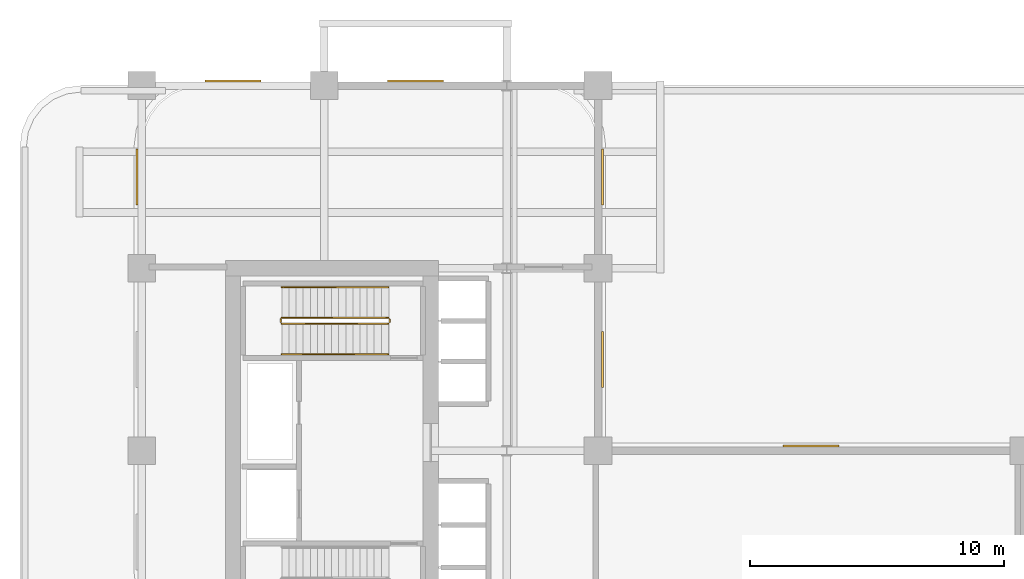
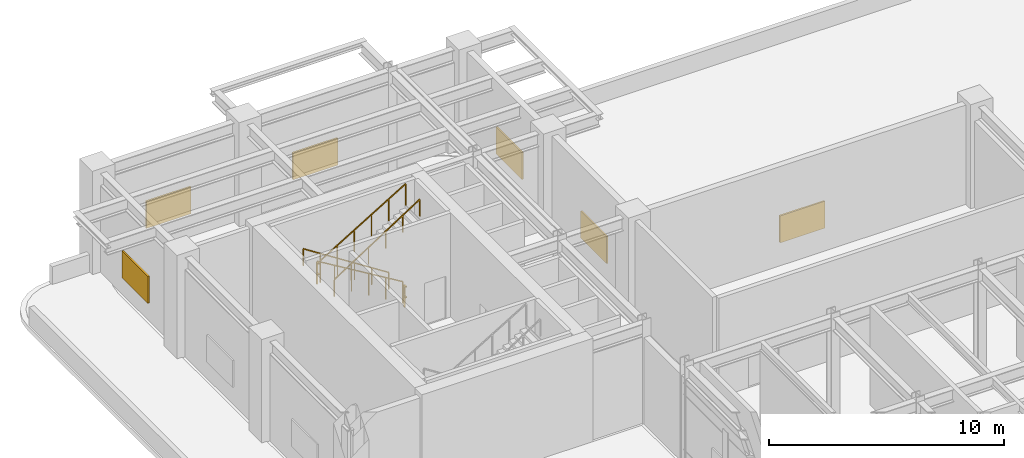
# One storey, part 14 of 14: 6 railings, 6 shading devices.
"""IFC4 building model written with IfcOpenShell, lengths in metres."""

from ifc_helpers import new_model, si_unit, derived_unit, direction, frame, origin, origin_2d, place, context, subcontext, project, spatial, rectangle, extrude, source, transform, mapped, material, layer, layer_set, type_object, type_shapes, element, save


model = new_model("IFC4")

# Units and contexts
model_context = context("Model", 3, precision=1e-05, world=origin(), true_north=direction((0.0, 1.0)))
body_context = subcontext(model_context, "Body", "Model", "MODEL_VIEW")
ifc_project = project(units=[si_unit("LENGTHUNIT", "METRE"), si_unit("AREAUNIT", "SQUARE_METRE"), si_unit("VOLUMEUNIT", "CUBIC_METRE"), si_unit("PLANEANGLEUNIT", "RADIAN"), si_unit("MASSUNIT", "GRAM", prefix="KILO"), si_unit("THERMODYNAMICTEMPERATUREUNIT", "KELVIN"), si_unit("POWERUNIT", "WATT"), derived_unit("THERMALTRANSMITTANCEUNIT", [(si_unit("POWERUNIT", "WATT"), 1), (si_unit("AREAUNIT", "SQUARE_METRE"), -1), (si_unit("THERMODYNAMICTEMPERATUREUNIT", "KELVIN"), -1)])], contexts=[model_context])

# Site, building, storey
site_placement = place(None, origin())
site = spatial("IfcSite", under=ifc_project, at=site_placement, CompositionType="ELEMENT")
building_placement = place(site_placement, origin())
building = spatial("IfcBuilding", under=site, at=building_placement, Name="Zahravan Archway Hotel and Residences", CompositionType="ELEMENT")
storey_placement = place(building_placement, frame((0.0, 0.0, 27.0)))
storey = spatial("IfcBuildingStorey", under=building, at=storey_placement, Name="L05", CompositionType="ELEMENT", Elevation=27.0)

# Railings
ifc_material_1 = material(Name="Painted Tubular Steel", Category="steel")
railing_type_1 = type_object("IfcRailingType", Name="RL-STG-1150", PredefinedType="GUARDRAIL", material=ifc_material_1)
railing_1_placement = place(storey_placement, frame((9.72998046875, 37.64990234375, 0.168701171875)))
element("IfcRailing", 1, at=railing_1_placement, inside=storey, type_object=railing_type_1, Name="L05 ST-B2 stair guard 1", PredefinedType="GUARDRAIL", context=body_context, shape_type="SweptSolid", body=[
    extrude(rectangle(XDim=0.048095703125, YDim=0.048095703125, at=origin_2d()), frame((0.0, 0.0, 1.1259765625), z_axis=(-0.856476492594, 0.0, 0.516186030065), x_axis=(0.0, -1.0, 0.0)), (0.0, 0.0, 1.0), 4.90380859375),
    extrude(rectangle(XDim=0.0419921875, YDim=0.0419921875, at=origin_2d()), origin(), (0.0, 0.0, 1.0), 1.101806640625),
    extrude(rectangle(XDim=0.0419921875, YDim=0.0419921875, at=origin_2d()), frame((-0.840087890625, 0.0, 0.50634765625)), (0.0, 0.0, 1.0), 1.101806640625),
    extrude(rectangle(XDim=0.0419921875, YDim=0.0419921875, at=origin_2d()), frame((-1.679931640625, 0.0, 1.012451171875)), (0.0, 0.0, 1.0), 1.101806640625),
    extrude(rectangle(XDim=0.0419921875, YDim=0.0419921875, at=origin_2d()), frame((-2.52001953125, 0.0, 1.518798828125)), (0.0, 0.0, 1.0), 1.101806640625),
    extrude(rectangle(XDim=0.0419921875, YDim=0.0419921875, at=origin_2d()), frame((-3.35986328125, 0.0, 2.02490234375)), (0.0, 0.0, 1.0), 1.101806640625),
    extrude(rectangle(XDim=0.0419921875, YDim=0.0419921875, at=origin_2d()), frame((-4.199951171875, 0.0, 2.53125)), (0.0, 0.0, 1.0), 1.101806640625),
])
railing_2_placement = place(storey_placement, frame((5.47998046875, 37.60009765625, 2.699951171875)))
element("IfcRailing", 2, at=railing_2_placement, inside=storey, type_object=railing_type_1, Name="L05 ST-B2 stair guard 2", PredefinedType="GUARDRAIL", context=body_context, shape_type="SweptSolid", body=[
    extrude(rectangle(XDim=0.048095703125, YDim=0.048095703125, at=origin_2d()), frame((0.0, 0.0, 1.1259765625), z_axis=(0.0, -1.0, 0.0), x_axis=(1.0, 0.0, 0.0)), (0.0, 0.0, 1.0), 0.14013671875),
    extrude(rectangle(XDim=0.048095703125, YDim=0.048095703125, at=origin_2d()), frame((0.0, 0.0, 0.574951171875), z_axis=(0.0, -1.0, 0.0), x_axis=(1.0, 0.0, 0.0)), (0.0, 0.0, 1.0), 0.14013671875),
    extrude(rectangle(XDim=0.0419921875, YDim=0.0419921875, at=origin_2d()), origin(), (0.0, 0.0, 1.0), 1.101806640625),
])
railing_3_placement = place(storey_placement, frame((5.530029296875, 37.409912109375, 2.86865234375)))
element("IfcRailing", 3, at=railing_3_placement, inside=storey, type_object=railing_type_1, Name="L05 ST-B2 stair guard 3", PredefinedType="GUARDRAIL", context=body_context, shape_type="SweptSolid", body=[
    extrude(rectangle(XDim=0.048095703125, YDim=0.048095703125, at=origin_2d()), frame((0.0, 0.0, 1.1259765625), z_axis=(0.856476492594, 0.0, 0.516186030065), x_axis=(0.0, 1.0, 0.0)), (0.0, 0.0, 1.0), 4.90380859375),
    extrude(rectangle(XDim=0.0419921875, YDim=0.0419921875, at=origin_2d()), origin(), (0.0, 0.0, 1.0), 1.101806640625),
    extrude(rectangle(XDim=0.0419921875, YDim=0.0419921875, at=origin_2d()), frame((0.840087890625, 0.0, 0.50634765625)), (0.0, 0.0, 1.0), 1.101806640625),
    extrude(rectangle(XDim=0.0419921875, YDim=0.0419921875, at=origin_2d()), frame((1.679931640625, 0.0, 1.012451171875)), (0.0, 0.0, 1.0), 1.101806640625),
    extrude(rectangle(XDim=0.0419921875, YDim=0.0419921875, at=origin_2d()), frame((2.52001953125, 0.0, 1.518798828125)), (0.0, 0.0, 1.0), 1.101806640625),
    extrude(rectangle(XDim=0.0419921875, YDim=0.0419921875, at=origin_2d()), frame((3.35986328125, 0.0, 2.02490234375)), (0.0, 0.0, 1.0), 1.101806640625),
    extrude(rectangle(XDim=0.0419921875, YDim=0.0419921875, at=origin_2d()), frame((4.199951171875, 0.0, 2.53125)), (0.0, 0.0, 1.0), 1.101806640625),
])
railing_4_placement = place(storey_placement, frame((9.780029296875, 37.60009765625, 0.0)))
element("IfcRailing", 4, at=railing_4_placement, inside=storey, type_object=railing_type_1, Name="L05 ST-B2 stair guard 4", PredefinedType="GUARDRAIL", context=body_context, shape_type="SweptSolid", body=[
    extrude(rectangle(XDim=0.048095703125, YDim=0.048095703125, at=origin_2d()), frame((0.0, 0.0, 1.1259765625), z_axis=(0.0, -1.0, 0.0), x_axis=(1.0, 0.0, 0.0)), (0.0, 0.0, 1.0), 0.14013671875),
    extrude(rectangle(XDim=0.048095703125, YDim=0.048095703125, at=origin_2d()), frame((0.0, 0.0, 0.574951171875), z_axis=(0.0, -1.0, 0.0), x_axis=(1.0, 0.0, 0.0)), (0.0, 0.0, 1.0), 0.14013671875),
    extrude(rectangle(XDim=0.0419921875, YDim=0.0419921875, at=origin_2d()), origin(), (0.0, 0.0, 1.0), 1.101806640625),
])
ifc_material_2 = material(Name="Brushed Stainless Steel", Category="steel")
railing_type_2 = type_object("IfcRailingType", Name="RL-STH-900", PredefinedType="HANDRAIL", material=ifc_material_2)
railing_5_placement = place(storey_placement, frame((9.72998046875, 38.85009765625, 0.168701171875)))
element("IfcRailing", 5, at=railing_5_placement, inside=storey, type_object=railing_type_2, Name="L05 ST-B2 stair handrail 1", PredefinedType="HANDRAIL", context=body_context, shape_type="SweptSolid", body=[
    extrude(rectangle(XDim=0.048095703125, YDim=0.048095703125, at=origin_2d()), frame((0.0, 0.0, 0.8759765625), z_axis=(-0.841180064094, 0.0, 0.540755119968), x_axis=(0.0, -1.0, 0.0)), (0.0, 0.0, 1.0), 4.992919921875),
    extrude(rectangle(XDim=0.0419921875, YDim=0.0419921875, at=origin_2d()), origin(), (0.0, 0.0, 1.0), 0.851806640625),
    extrude(rectangle(XDim=0.0419921875, YDim=0.0419921875, at=origin_2d()), frame((-0.840087890625, 0.0, 0.5400390625)), (0.0, 0.0, 1.0), 0.851806640625),
    extrude(rectangle(XDim=0.0419921875, YDim=0.0419921875, at=origin_2d()), frame((-1.679931640625, 0.0, 1.080078125)), (0.0, 0.0, 1.0), 0.851806640625),
    extrude(rectangle(XDim=0.0419921875, YDim=0.0419921875, at=origin_2d()), frame((-2.52001953125, 0.0, 1.619873046875)), (0.0, 0.0, 1.0), 0.851806640625),
    extrude(rectangle(XDim=0.0419921875, YDim=0.0419921875, at=origin_2d()), frame((-3.35986328125, 0.0, 2.159912109375)), (0.0, 0.0, 1.0), 0.851806640625),
    extrude(rectangle(XDim=0.0419921875, YDim=0.0419921875, at=origin_2d()), frame((-4.199951171875, 0.0, 2.699951171875)), (0.0, 0.0, 1.0), 0.851806640625),
])
railing_6_placement = place(storey_placement, frame((5.530029296875, 36.2099609375, 2.86865234375)))
element("IfcRailing", 6, at=railing_6_placement, inside=storey, type_object=railing_type_2, Name="L05 ST-B2 stair handrail 2", PredefinedType="HANDRAIL", context=body_context, shape_type="SweptSolid", body=[
    extrude(rectangle(XDim=0.048095703125, YDim=0.048095703125, at=origin_2d()), frame((0.0, 0.0, 0.8759765625), z_axis=(0.841157821942, 0.0, 0.54078971753), x_axis=(0.0, 1.0, 0.0)), (0.0, 0.0, 1.0), 4.9931640625),
    extrude(rectangle(XDim=0.0419921875, YDim=0.0419921875, at=origin_2d()), origin(), (0.0, 0.0, 1.0), 0.851806640625),
    extrude(rectangle(XDim=0.0419921875, YDim=0.0419921875, at=origin_2d()), frame((0.840087890625, 0.0, 0.5400390625)), (0.0, 0.0, 1.0), 0.851806640625),
    extrude(rectangle(XDim=0.0419921875, YDim=0.0419921875, at=origin_2d()), frame((1.679931640625, 0.0, 1.080078125)), (0.0, 0.0, 1.0), 0.851806640625),
    extrude(rectangle(XDim=0.0419921875, YDim=0.0419921875, at=origin_2d()), frame((2.52001953125, 0.0, 1.6201171875)), (0.0, 0.0, 1.0), 0.851806640625),
    extrude(rectangle(XDim=0.0419921875, YDim=0.0419921875, at=origin_2d()), frame((3.35986328125, 0.0, 2.16015625)), (0.0, 0.0, 1.0), 0.851806640625),
    extrude(rectangle(XDim=0.0419921875, YDim=0.0419921875, at=origin_2d()), frame((4.199951171875, 0.0, 2.7001953125)), (0.0, 0.0, 1.0), 0.851806640625),
])

# Shading devices
ifc_material_3 = material(Name="Bronze Acoustic Intake Louvre")
ifc_layer = layer(ifc_material_3, 0.080078125, Name="Bronze Acoustic Intake Louvre")
ifc_layer_set = layer_set([ifc_layer], Name="Bronze Acoustic Intake Louvre")
shading_device_type = type_object("IfcShadingDeviceType", Name="SHD-LOUVRE-60", PredefinedType="USERDEFINED", material=ifc_layer_set)
shared_shape = source(origin(), body_context, "Body", "SweptSolid", [
    extrude(rectangle(XDim=2.199951171875, YDim=0.080078125, at=origin_2d()), origin(), (0.0, 0.0, 1.0), 1.39990234375),
])
type_shapes(shading_device_type, [shared_shape])
for number, where, z_axis, x_axis, name in (
    (7, (-0.179931640625, 43.199951171875, 0.949951171875), (0.0, 0.0, 1.0), (0.0, 1.0, 0.0), "L05 Acoustic Plant Intake Louvre 18"),
    (8, (3.60009765625, 46.97998046875, 0.949951171875), (0.0, 0.0, 1.0), (1.0, 0.0, 0.0), "L05 Acoustic Plant Intake Louvre 19"),
    (9, (10.800048828125, 46.97998046875, 0.949951171875), (0.0, 0.0, 1.0), (1.0, 0.0, 0.0), "L05 Acoustic Plant Intake Louvre 20"),
    (10, (18.179931640625, 36.0, 0.949951171875), (0.0, 0.0, 1.0), (0.0, 1.0, 0.0), "L05 Acoustic Plant Intake Louvre 21"),
    (11, (18.179931640625, 43.199951171875, 0.949951171875), (0.0, 0.0, 1.0), (0.0, 1.0, 0.0), "L05 Acoustic Plant Intake Louvre 22"),
    (12, (26.39990234375, 32.580078125, 0.949951171875), (0.0, 0.0, 1.0), (1.0, 0.0, 0.0), "L05 Acoustic Plant Intake Louvre 23"),
):
    element("IfcShadingDevice", number, at=place(storey_placement, frame(where, z_axis=z_axis, x_axis=x_axis)), inside=storey, type_object=shading_device_type, Name=name, ObjectType="LOUVER", PredefinedType="USERDEFINED", context=body_context, shape_type="MappedRepresentation", body=[
        mapped(shared_shape, transform((0.0, 0.0, 0.0), scale=1.0)),
    ])

save(model, "model.ifc")
